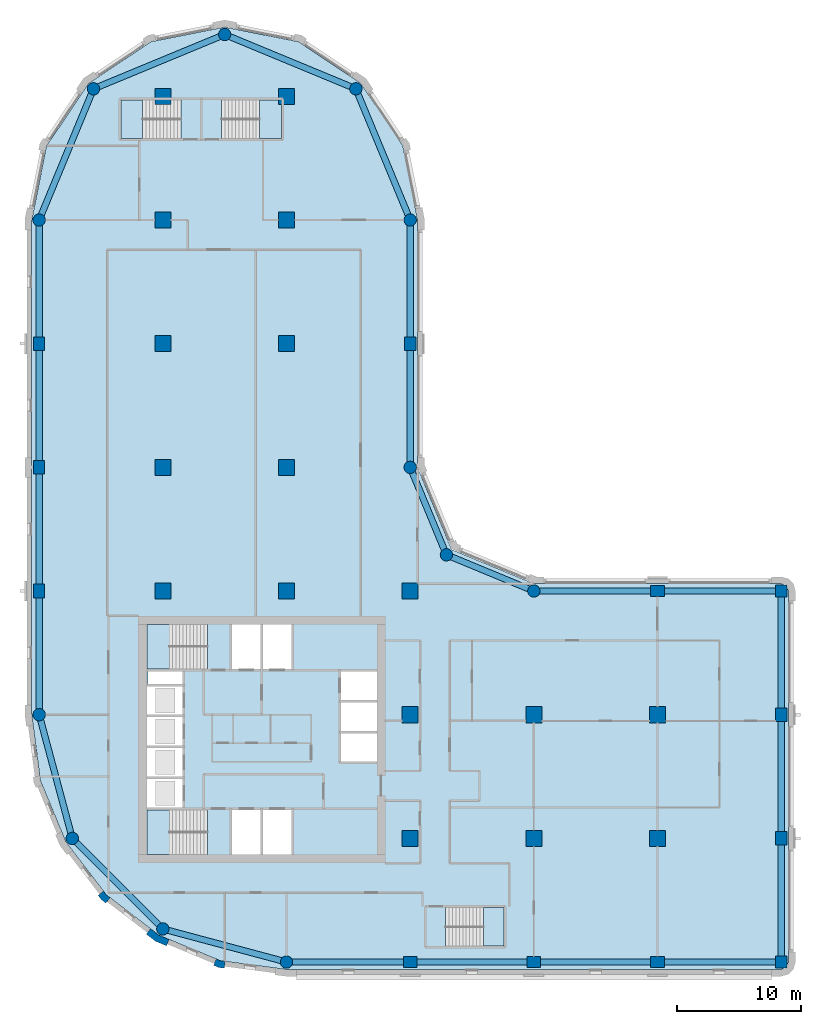
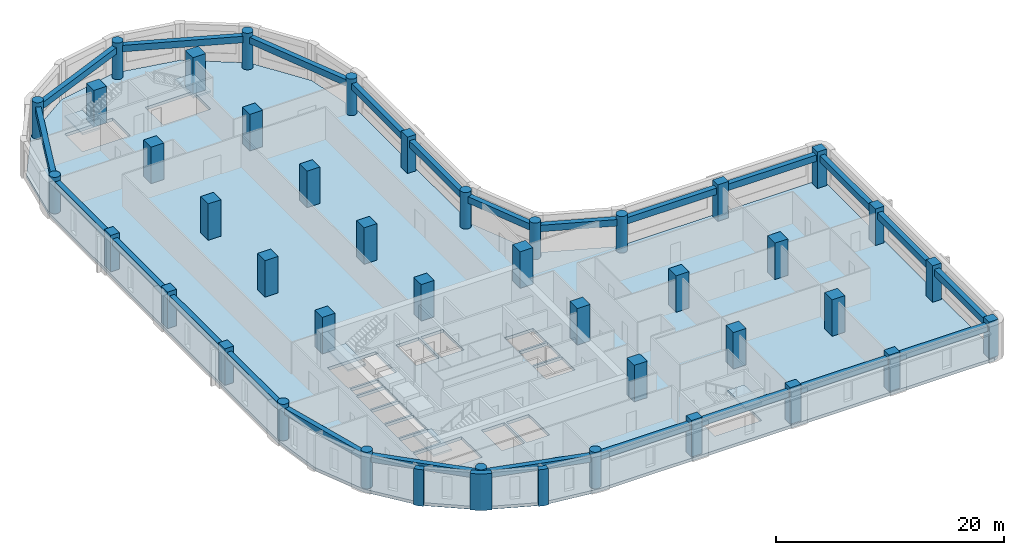
# One storey, part 1 of 9: 41 columns, 24 beams, 6 slabs, 3 walls, 5 elements without a shape of their own.
"""IFC4 building model written with IfcOpenShell, lengths in metres."""

from ifc_helpers import new_model, si_unit, direction, frame, origin, origin_2d, place, context, subcontext, project, spatial, polyline, rectangle, circle, outline, extrude, material, layer, layer_set, material_profile, profile_set, type_object, element, aggregate, save


model = new_model("IFC4")

# Units and contexts
model_context = context("Model", 3, precision=1e-05, world=origin(), true_north=direction((0.0, 1.0)))
body_context = subcontext(model_context, "Body", "Model", "MODEL_VIEW")
ifc_project = project(units=[si_unit("LENGTHUNIT", "METRE"), si_unit("AREAUNIT", "SQUARE_METRE"), si_unit("VOLUMEUNIT", "CUBIC_METRE"), si_unit("PLANEANGLEUNIT", "RADIAN"), si_unit("MASSUNIT", "GRAM", prefix="KILO")], contexts=[model_context])

# Site, building, storey
site_placement = place(None, origin())
site = spatial("IfcSite", under=ifc_project, at=site_placement, CompositionType="ELEMENT")
building_placement = place(site_placement, origin())
building = spatial("IfcBuilding", under=site, at=building_placement, Name="Qaws Garden Tower", CompositionType="ELEMENT")
storey_placement = place(building_placement, frame((0.0, 0.0, 233.10009765625)))
storey = spatial("IfcBuildingStorey", under=building, at=storey_placement, Name="L57", CompositionType="ELEMENT", Elevation=233.10009765625)

# Columns
ifc_material_1 = material(Name="Concrete C70", Category="concrete")
ifc_material_profile_1 = material_profile(ifc_material_1, rectangle(XDim=1.10009765625, YDim=0.89990234375, at=origin_2d()), Name="RC 1100x900")
ifc_profile_set_1 = profile_set([ifc_material_profile_1], Name="Concrete C70")
column_type_1 = type_object("IfcColumnType", Name="Column RC 1100x900 C70", PredefinedType="COLUMN", material=ifc_profile_set_1)
for number, where, z_axis, x_axis, name in (
    (1, (30.0, 0.0, 0.0), (0.0, 0.0, 1.0), (1.0, 0.0, 0.0), "Column L57-002"),
    (2, (40.0, 0.0, 0.0), (0.0, 0.0, 1.0), (1.0, 0.0, 0.0), "Column L57-003"),
    (3, (50.0, 0.0, 0.0), (0.0, 0.0, 1.0), (1.0, 0.0, 0.0), "Column L57-004"),
    (4, (60.0, 10.0, 0.0), (0.0, 0.0, 1.0), (0.0, 1.0, 0.0), "Column L57-006"),
    (5, (60.0, 20.0, 0.0), (0.0, 0.0, 1.0), (0.0, 1.0, 0.0), "Column L57-007"),
    (6, (50.0, 30.0, 0.0), (0.0, 0.0, 1.0), (1.0, 0.0, 0.0), "Column L57-009"),
    (7, (30.0, 50.0, 0.0), (0.0, 0.0, 1.0), (0.0, 1.0, 0.0), "Column L57-013"),
    (8, (0.0, 50.0, 0.0), (0.0, 0.0, 1.0), (0.0, 1.0, 0.0), "Column L57-019"),
    (9, (0.0, 40.0, 0.0), (0.0, 0.0, 1.0), (0.0, 1.0, 0.0), "Column L57-020"),
    (10, (0.0, 30.0, 0.0), (0.0, 0.0, 1.0), (0.0, 1.0, 0.0), "Column L57-021"),
):
    element("IfcColumn", number, at=place(storey_placement, frame(where, z_axis=z_axis, x_axis=x_axis)), inside=storey, type_object=column_type_1, Name=name, PredefinedType="COLUMN", context=body_context, shape_type="SweptSolid", body=[
        extrude(rectangle(XDim=1.10009765625, YDim=0.89990234375, at=origin_2d()), origin(), (0.0, 0.0, 1.0), 3.89990234375),
    ])
ifc_material_2 = material(Name="Concrete C70", Category="concrete")
ifc_material_profile_2 = material_profile(ifc_material_2, rectangle(XDim=1.300048828125, YDim=1.300048828125, at=origin_2d()), Name="RC 1300x1300")
ifc_profile_set_2 = profile_set([ifc_material_profile_2], Name="Concrete C70")
column_type_2 = type_object("IfcColumnType", Name="Column RC 1300x1300 C70", PredefinedType="COLUMN", material=ifc_profile_set_2)
for number, where, z_axis, x_axis, name in (
    (11, (10.0, 30.0, 0.0), (0.0, 0.0, 1.0), (1.0, 0.0, 0.0), "Column L57-025"),
    (12, (10.0, 40.0, 0.0), (0.0, 0.0, 1.0), (1.0, 0.0, 0.0), "Column L57-026"),
    (13, (10.0, 50.0, 0.0), (0.0, 0.0, 1.0), (1.0, 0.0, 0.0), "Column L57-027"),
    (14, (10.0, 60.0, 0.0), (0.0, 0.0, 1.0), (1.0, 0.0, 0.0), "Column L57-028"),
    (15, (10.0, 70.0, 0.0), (0.0, 0.0, 1.0), (1.0, 0.0, 0.0), "Column L57-029"),
    (16, (20.0, 30.0, 0.0), (0.0, 0.0, 1.0), (1.0, 0.0, 0.0), "Column L57-030"),
    (17, (20.0, 40.0, 0.0), (0.0, 0.0, 1.0), (1.0, 0.0, 0.0), "Column L57-031"),
    (18, (20.0, 50.0, 0.0), (0.0, 0.0, 1.0), (1.0, 0.0, 0.0), "Column L57-032"),
    (19, (20.0, 60.0, 0.0), (0.0, 0.0, 1.0), (1.0, 0.0, 0.0), "Column L57-033"),
    (20, (20.0, 70.0, 0.0), (0.0, 0.0, 1.0), (1.0, 0.0, 0.0), "Column L57-034"),
    (21, (30.0, 10.0, 0.0), (0.0, 0.0, 1.0), (1.0, 0.0, 0.0), "Column L57-035"),
    (22, (30.0, 20.0, 0.0), (0.0, 0.0, 1.0), (1.0, 0.0, 0.0), "Column L57-036"),
    (23, (30.0, 30.0, 0.0), (0.0, 0.0, 1.0), (1.0, 0.0, 0.0), "Column L57-037"),
    (24, (40.0, 10.0, 0.0), (0.0, 0.0, 1.0), (1.0, 0.0, 0.0), "Column L57-038"),
    (25, (40.0, 20.0, 0.0), (0.0, 0.0, 1.0), (1.0, 0.0, 0.0), "Column L57-039"),
    (26, (50.0, 10.0, 0.0), (0.0, 0.0, 1.0), (1.0, 0.0, 0.0), "Column L57-040"),
    (27, (50.0, 20.0, 0.0), (0.0, 0.0, 1.0), (1.0, 0.0, 0.0), "Column L57-041"),
):
    element("IfcColumn", number, at=place(storey_placement, frame(where, z_axis=z_axis, x_axis=x_axis)), inside=storey, type_object=column_type_2, Name=name, PredefinedType="COLUMN", context=body_context, shape_type="SweptSolid", body=[
        extrude(rectangle(XDim=1.300048828125, YDim=1.300048828125, at=origin_2d()), origin(), (0.0, 0.0, 1.0), 3.89990234375),
    ])
ifc_material_3 = material(Name="Concrete C70", Category="concrete")
ifc_material_profile_3 = material_profile(ifc_material_3, rectangle(XDim=0.949951171875, YDim=0.949951171875, at=origin_2d()), Name="RC 950x950")
ifc_profile_set_3 = profile_set([ifc_material_profile_3], Name="Concrete C70")
column_type_3 = type_object("IfcColumnType", Name="Column RC 950x950 C70", PredefinedType="COLUMN", material=ifc_profile_set_3)
for number, where, z_axis, x_axis, name in (
    (28, (60.0, 0.0, 0.0), (0.0, 0.0, 1.0), (1.0, 0.0, 0.0), "Column L57-005"),
    (29, (60.0, 30.0, 0.0), (0.0, 0.0, 1.0), (1.0, 0.0, 0.0), "Column L57-008"),
):
    element("IfcColumn", number, at=place(storey_placement, frame(where, z_axis=z_axis, x_axis=x_axis)), inside=storey, type_object=column_type_3, Name=name, PredefinedType="COLUMN", context=body_context, shape_type="SweptSolid", body=[
        extrude(rectangle(XDim=0.949951171875, YDim=0.949951171875, at=origin_2d()), origin(), (0.0, 0.0, 1.0), 3.89990234375),
    ])
ifc_material_4 = material(Name="Concrete C70", Category="concrete")
ifc_material_profile_4 = material_profile(ifc_material_4, circle(Radius=0.5, at=origin_2d()), Name="RC D1000")
ifc_profile_set_4 = profile_set([ifc_material_profile_4], Name="Concrete C70")
column_type_4 = type_object("IfcColumnType", Name="Column RC D1000 C70", PredefinedType="COLUMN", material=ifc_profile_set_4)
for number, where, z_axis, x_axis, name in (
    (30, (20.0, 0.0, 0.0), (0.0, 0.0, 1.0), (1.0, 0.0, 0.0), "Column L57-001"),
    (31, (40.0, 30.0, 0.0), (0.0, 0.0, 1.0), (1.0, 0.0, 0.0), "Column L57-010"),
    (32, (32.928955078125, 32.928955078125, 0.0), (0.0, 0.0, 1.0), (1.0, 0.0, 0.0), "Column L57-011"),
    (33, (30.0, 40.0, 0.0), (0.0, 0.0, 1.0), (1.0, 0.0, 0.0), "Column L57-012"),
    (34, (30.0, 60.0, 0.0), (0.0, 0.0, 1.0), (1.0, 0.0, 0.0), "Column L57-014"),
    (35, (25.606689453125, 70.606689453125, 0.0), (0.0, 0.0, 1.0), (1.0, 0.0, 0.0), "Column L57-015"),
    (36, (15.0, 75.0, 0.0), (0.0, 0.0, 1.0), (1.0, 0.0, 0.0), "Column L57-016"),
    (37, (4.393310546875, 70.606689453125, 0.0), (0.0, 0.0, 1.0), (1.0, 0.0, 0.0), "Column L57-017"),
    (38, (0.0, 60.0, 0.0), (0.0, 0.0, 1.0), (1.0, 0.0, 0.0), "Column L57-018"),
    (39, (0.0, 20.0, 0.0), (0.0, 0.0, 1.0), (1.0, 0.0, 0.0), "Column L57-022"),
    (40, (2.679443359375, 10.0, 0.0), (0.0, 0.0, 1.0), (1.0, 0.0, 0.0), "Column L57-023"),
    (41, (10.0, 2.679443359375, 0.0), (0.0, 0.0, 1.0), (1.0, 0.0, 0.0), "Column L57-024"),
):
    element("IfcColumn", number, at=place(storey_placement, frame(where, z_axis=z_axis, x_axis=x_axis)), inside=storey, type_object=column_type_4, Name=name, PredefinedType="COLUMN", context=body_context, shape_type="SweptSolid", body=[
        extrude(circle(Radius=0.5, at=origin_2d()), origin(), (0.0, 0.0, 1.0), 3.89990234375),
    ])

# Beams
ifc_material_5 = material(Name="Concrete C45", Category="concrete")
ifc_material_profile_5 = material_profile(ifc_material_5, rectangle(XDim=0.5, YDim=0.699951171875, at=origin_2d()), Name="RC 500x700")
ifc_profile_set_5 = profile_set([ifc_material_profile_5], Name="Concrete C45")
beam_type = type_object("IfcBeamType", Name="Spandrel beam RC 500x700 C45", PredefinedType="SPANDREL", material=ifc_profile_set_5)
for number, where, z_axis, x_axis, name in (
    (42, (20.0, 0.0, 3.099853515625), (1.0, 0.0, 0.0), (0.0, 1.0, 0.0), "Spandrel beam L57-001"),
    (43, (30.0, 0.0, 3.099853515625), (1.0, 0.0, 0.0), (0.0, 1.0, 0.0), "Spandrel beam L57-002"),
    (44, (40.0, 0.0, 3.099853515625), (1.0, 0.0, 0.0), (0.0, 1.0, 0.0), "Spandrel beam L57-003"),
    (45, (50.0, 0.0, 3.099853515625), (1.0, 0.0, 0.0), (0.0, 1.0, 0.0), "Spandrel beam L57-004"),
    (46, (60.0, 0.0, 3.099853515625), (0.0, 1.0, 0.0), (-1.0, 0.0, 0.0), "Spandrel beam L57-005"),
    (47, (60.0, 10.0, 3.099853515625), (0.0, 1.0, 0.0), (-1.0, 0.0, 0.0), "Spandrel beam L57-006"),
    (48, (60.0, 20.0, 3.099853515625), (0.0, 1.0, 0.0), (-1.0, 0.0, 0.0), "Spandrel beam L57-007"),
    (49, (60.0, 30.0, 3.099853515625), (-1.0, 0.0, 0.0), (0.0, -1.0, 0.0), "Spandrel beam L57-008"),
    (50, (50.0, 30.0, 3.099853515625), (-1.0, 0.0, 0.0), (0.0, -1.0, 0.0), "Spandrel beam L57-009"),
):
    element("IfcBeam", number, at=place(storey_placement, frame(where, z_axis=z_axis, x_axis=x_axis)), inside=storey, type_object=beam_type, Name=name, PredefinedType="SPANDREL", context=body_context, shape_type="SweptSolid", body=[
        extrude(rectangle(XDim=0.5, YDim=0.699951171875, at=origin_2d()), origin(), (0.0, 0.0, 1.0), 10.0),
    ])
for number, where, z_axis, x_axis, name in (
    (51, (40.0, 30.0, 3.099853515625), (-0.923878037141, 0.382687042488, 0.0), (-0.382687042488, -0.923878037141, 0.0), "Spandrel beam L57-010"),
    (52, (32.928955078125, 32.928955078125, 3.099853515625), (-0.382687042488, 0.923878037141, 0.0), (-0.923878037141, -0.382687042488, 0.0), "Spandrel beam L57-011"),
):
    element("IfcBeam", number, at=place(storey_placement, frame(where, z_axis=z_axis, x_axis=x_axis)), inside=storey, type_object=beam_type, Name=name, PredefinedType="SPANDREL", context=body_context, shape_type="SweptSolid", body=[
        extrude(rectangle(XDim=0.5, YDim=0.699951171875, at=origin_2d()), origin(), (0.0, 0.0, 1.0), 7.653564453125),
    ])
for number, where, z_axis, x_axis, name in (
    (53, (30.0, 40.0, 3.099853515625), (0.0, 1.0, 0.0), (-1.0, 0.0, 0.0), "Spandrel beam L57-012"),
    (54, (30.0, 50.0, 3.099853515625), (0.0, 1.0, 0.0), (-1.0, 0.0, 0.0), "Spandrel beam L57-013"),
):
    element("IfcBeam", number, at=place(storey_placement, frame(where, z_axis=z_axis, x_axis=x_axis)), inside=storey, type_object=beam_type, Name=name, PredefinedType="SPANDREL", context=body_context, shape_type="SweptSolid", body=[
        extrude(rectangle(XDim=0.5, YDim=0.699951171875, at=origin_2d()), origin(), (0.0, 0.0, 1.0), 10.0),
    ])
for number, where, z_axis, x_axis, name in (
    (55, (30.0, 60.0, 3.099853515625), (-0.382674207535, 0.923883353507, 0.0), (-0.923883353507, -0.382674207535, 0.0), "Spandrel beam L57-014"),
    (56, (25.606689453125, 70.606689453125, 3.099853515625), (-0.923883353507, 0.382674207535, 0.0), (-0.382674207535, -0.923883353507, 0.0), "Spandrel beam L57-015"),
    (57, (15.0, 75.0, 3.099853515625), (-0.923883353507, -0.382674207535, 0.0), (0.382674207535, -0.923883353507, 0.0), "Spandrel beam L57-016"),
    (58, (4.393310546875, 70.606689453125, 3.099853515625), (-0.382674207535, -0.923883353507, 0.0), (0.923883353507, -0.382674207535, 0.0), "Spandrel beam L57-017"),
):
    element("IfcBeam", number, at=place(storey_placement, frame(where, z_axis=z_axis, x_axis=x_axis)), inside=storey, type_object=beam_type, Name=name, PredefinedType="SPANDREL", context=body_context, shape_type="SweptSolid", body=[
        extrude(rectangle(XDim=0.5, YDim=0.699951171875, at=origin_2d()), origin(), (0.0, 0.0, 1.0), 11.48046875),
    ])
for number, where, z_axis, x_axis, name in (
    (59, (0.0, 60.0, 3.099853515625), (0.0, -1.0, 0.0), (1.0, 0.0, 0.0), "Spandrel beam L57-018"),
    (60, (0.0, 50.0, 3.099853515625), (0.0, -1.0, 0.0), (1.0, 0.0, 0.0), "Spandrel beam L57-019"),
    (61, (0.0, 40.0, 3.099853515625), (0.0, -1.0, 0.0), (1.0, 0.0, 0.0), "Spandrel beam L57-020"),
    (62, (0.0, 30.0, 3.099853515625), (0.0, -1.0, 0.0), (1.0, 0.0, 0.0), "Spandrel beam L57-021"),
):
    element("IfcBeam", number, at=place(storey_placement, frame(where, z_axis=z_axis, x_axis=x_axis)), inside=storey, type_object=beam_type, Name=name, PredefinedType="SPANDREL", context=body_context, shape_type="SweptSolid", body=[
        extrude(rectangle(XDim=0.5, YDim=0.699951171875, at=origin_2d()), origin(), (0.0, 0.0, 1.0), 10.0),
    ])
for number, where, z_axis, x_axis, name in (
    (63, (0.0, 20.0, 3.099853515625), (0.25881466832, -0.965926999034, 0.0), (0.965926999034, 0.25881466832, 0.0), "Spandrel beam L57-022"),
    (64, (2.679443359375, 10.0, 3.099853515625), (0.707106781187, -0.707106781187, 0.0), (0.707106781187, 0.707106781187, 0.0), "Spandrel beam L57-023"),
    (65, (10.0, 2.679443359375, 3.099853515625), (0.965926999034, -0.25881466832, 0.0), (0.25881466832, 0.965926999034, 0.0), "Spandrel beam L57-024"),
):
    element("IfcBeam", number, at=place(storey_placement, frame(where, z_axis=z_axis, x_axis=x_axis)), inside=storey, type_object=beam_type, Name=name, PredefinedType="SPANDREL", context=body_context, shape_type="SweptSolid", body=[
        extrude(rectangle(XDim=0.5, YDim=0.699951171875, at=origin_2d()), origin(), (0.0, 0.0, 1.0), 10.352783203125),
    ])

# Slab
ifc_material_6 = material(Name="Concrete C40", Category="concrete")
ifc_layer_1 = layer(ifc_material_6, 0.320068359375)
ifc_layer_set_1 = layer_set([ifc_layer_1], Name="Concrete C40")
slab_type_1 = type_object("IfcSlabType", Name="Floor slab 320 C40", PredefinedType="FLOOR", material=ifc_layer_set_1)
slab_1_placement = place(storey_placement, frame((0.0, 0.0, -0.320068359375)))
element("IfcSlab", 66, at=slab_1_placement, inside=storey, type_object=slab_type_1, Name="Floor slab L57", PredefinedType="FLOOR", context=body_context, shape_type="SweptSolid", body=[
    extrude(outline(polyline([(0.101806640625, 14.668212890625), (-0.60009765625, 20.0), (-0.60009765625, 30.60009765625), (-0.60009765625, 60.0), (-0.60009765625, 60.0), (0.58740234375, 65.969970703125), (3.968994140625, 71.031005859375), (9.030029296875, 74.41259765625), (15.0, 75.60009765625), (20.969970703125, 74.41259765625), (26.031005859375, 71.031005859375), (29.41259765625, 65.969970703125), (30.60009765625, 60.0), (30.60009765625, 40.0), (33.353271484375, 33.353271484375), (40.0, 30.60009765625), (60.0, 30.60009765625), (60.42431640625, 30.42431640625), (60.60009765625, 30.0), (60.60009765625, 0.0), (60.42431640625, -0.42431640625), (60.0, -0.60009765625), (30.60009765625, -0.60009765625), (20.0, -0.60009765625), (14.668212890625, 0.101806640625), (9.699951171875, 2.159912109375), (5.43359375, 5.43359375), (2.159912109375, 9.699951171875), (0.101806640625, 14.668212890625)]), holes=[polyline([(13.599609375, 12.300048828125), (8.699951171875, 12.300048828125), (8.699951171875, 8.699951171875), (13.599609375, 8.699951171875), (13.599609375, 12.300048828125)]), polyline([(17.89990234375, 12.300048828125), (15.60009765625, 12.300048828125), (15.60009765625, 8.699951171875), (17.89990234375, 8.699951171875), (17.89990234375, 12.300048828125)]), polyline([(11.60009765625, 14.800048828125), (8.699951171875, 14.800048828125), (8.699951171875, 12.5), (11.60009765625, 12.5), (11.60009765625, 14.800048828125)]), polyline([(11.60009765625, 17.300048828125), (8.699951171875, 17.300048828125), (8.699951171875, 15.0), (11.60009765625, 15.0), (11.60009765625, 17.300048828125)]), polyline([(11.60009765625, 19.800048828125), (8.699951171875, 19.800048828125), (8.699951171875, 17.5), (11.60009765625, 17.5), (11.60009765625, 19.800048828125)]), polyline([(11.60009765625, 22.300048828125), (8.699951171875, 22.300048828125), (8.699951171875, 20.0), (11.60009765625, 20.0), (11.60009765625, 22.300048828125)]), polyline([(11.60009765625, 23.5), (8.800048828125, 23.5), (8.800048828125, 22.5), (11.60009765625, 22.5), (11.60009765625, 23.5)]), polyline([(13.599609375, 27.300048828125), (8.699951171875, 27.300048828125), (8.699951171875, 23.699951171875), (13.599609375, 23.699951171875), (13.599609375, 27.300048828125)]), polyline([(11.449462890625, 69.699951171875), (6.60009765625, 69.699951171875), (6.60009765625, 66.60009765625), (11.449462890625, 66.60009765625), (11.449462890625, 69.699951171875)]), polyline([(37.60009765625, 4.39990234375), (32.8505859375, 4.39990234375), (32.8505859375, 1.300048828125), (37.60009765625, 1.300048828125), (37.60009765625, 4.39990234375)]), polyline([(20.39990234375, 12.300048828125), (18.10009765625, 12.300048828125), (18.10009765625, 8.699951171875), (20.39990234375, 8.699951171875), (20.39990234375, 12.300048828125)]), polyline([(27.300048828125, 18.5), (24.39990234375, 18.5), (24.39990234375, 16.199951171875), (27.300048828125, 16.199951171875), (27.300048828125, 18.5)]), polyline([(27.300048828125, 21.0), (24.39990234375, 21.0), (24.39990234375, 18.699951171875), (27.300048828125, 18.699951171875), (27.300048828125, 21.0)]), polyline([(27.300048828125, 23.5), (24.39990234375, 23.5), (24.39990234375, 21.199951171875), (27.300048828125, 21.199951171875), (27.300048828125, 23.5)]), polyline([(17.89990234375, 27.300048828125), (15.60009765625, 27.300048828125), (15.60009765625, 23.699951171875), (17.89990234375, 23.699951171875), (17.89990234375, 27.300048828125)]), polyline([(20.39990234375, 23.699951171875), (20.39990234375, 27.300048828125), (18.10009765625, 27.300048828125), (18.10009765625, 23.699951171875), (20.39990234375, 23.699951171875)]), polyline([(19.60009765625, 66.60009765625), (19.60009765625, 69.699951171875), (14.75048828125, 69.699951171875), (14.75048828125, 66.60009765625), (19.60009765625, 66.60009765625)])]), origin(), (0.0, 0.0, 1.0), 0.320068359375),
])

# Stair, slab
ifc_material_7 = material(Name="Concrete C40", Category="concrete")
stair_type_1 = type_object("IfcStairType", Name="Exit stair 1500", PredefinedType="HALF_TURN_STAIR", material=ifc_material_7)
placement_1 = place(storey_placement, origin())
stair_1 = element("IfcStair", 67, at=placement_1, inside=storey, type_object=stair_type_1, Name="Stair 1", PredefinedType="HALF_TURN_STAIR")
ifc_material_8 = material(Name="Concrete C40", Category="concrete")
ifc_layer_2 = layer(ifc_material_8, 0.199951171875)
ifc_layer_set_2 = layer_set([ifc_layer_2], Name="Concrete C40")
slab_type_2 = type_object("IfcSlabType", Name="Stair landing 200", PredefinedType="LANDING", material=ifc_layer_set_2)
placement_2 = place(storey_placement, frame((0.0, 0.0, 1.75)))
slab_2 = element("IfcSlab", 68, at=placement_2, type_object=slab_type_2, Name="ST1 landing 1", PredefinedType="LANDING", context=body_context, shape_type="SweptSolid", body=[
    extrude(outline(polyline([(8.699951171875, 8.699951171875), (10.52001953125, 8.699951171875), (10.52001953125, 12.300048828125), (8.699951171875, 12.300048828125), (8.699951171875, 8.699951171875)])), origin(), (0.0, 0.0, 1.0), 0.199951171875),
])
aggregate(stair_1, [slab_2])

stair_2 = element("IfcStair", 69, at=placement_1, inside=storey, type_object=stair_type_1, Name="Stair 4", PredefinedType="HALF_TURN_STAIR")
slab_3 = element("IfcSlab", 70, at=placement_2, type_object=slab_type_2, Name="ST4 landing 1", PredefinedType="LANDING", context=body_context, shape_type="SweptSolid", body=[
    extrude(outline(polyline([(8.699951171875, 23.699951171875), (10.52001953125, 23.699951171875), (10.52001953125, 27.300048828125), (8.699951171875, 27.300048828125), (8.699951171875, 23.699951171875)])), origin(), (0.0, 0.0, 1.0), 0.199951171875),
])
aggregate(stair_2, [slab_3])

ifc_material_9 = material(Name="Concrete C40", Category="concrete")
stair_type_2 = type_object("IfcStairType", Name="Exit stair 1350", PredefinedType="HALF_TURN_STAIR", material=ifc_material_9)
stair_3 = element("IfcStair", 71, at=placement_1, inside=storey, type_object=stair_type_2, Name="Stair 5", PredefinedType="HALF_TURN_STAIR")
slab_4 = element("IfcSlab", 72, at=placement_2, type_object=slab_type_2, Name="ST5 landing 1", PredefinedType="LANDING", context=body_context, shape_type="SweptSolid", body=[
    extrude(outline(polyline([(35.929931640625, 1.300048828125), (37.60009765625, 1.300048828125), (37.60009765625, 4.39990234375), (35.929931640625, 4.39990234375), (35.929931640625, 1.300048828125)])), origin(), (0.0, 0.0, 1.0), 0.199951171875),
])
aggregate(stair_3, [slab_4])

stair_4 = element("IfcStair", 73, at=placement_1, inside=storey, type_object=stair_type_2, Name="Stair 6", PredefinedType="HALF_TURN_STAIR")
slab_5 = element("IfcSlab", 74, at=placement_2, type_object=slab_type_2, Name="ST6 landing 1", PredefinedType="LANDING", context=body_context, shape_type="SweptSolid", body=[
    extrude(outline(polyline([(6.60009765625, 66.60009765625), (8.3701171875, 66.60009765625), (8.3701171875, 69.699951171875), (6.60009765625, 69.699951171875), (6.60009765625, 66.60009765625)])), origin(), (0.0, 0.0, 1.0), 0.199951171875),
])
aggregate(stair_4, [slab_5])

stair_5 = element("IfcStair", 75, at=placement_1, inside=storey, type_object=stair_type_2, Name="Stair 7", PredefinedType="HALF_TURN_STAIR")
slab_6 = element("IfcSlab", 76, at=placement_2, type_object=slab_type_2, Name="ST7 landing 1", PredefinedType="LANDING", context=body_context, shape_type="SweptSolid", body=[
    extrude(outline(polyline([(17.830078125, 66.60009765625), (19.60009765625, 66.60009765625), (19.60009765625, 69.699951171875), (17.830078125, 69.699951171875), (17.830078125, 66.60009765625)])), origin(), (0.0, 0.0, 1.0), 0.199951171875),
])
aggregate(stair_5, [slab_6])

# Walls
ifc_material_10 = material(Name="Buff clay facing brick masonry", Category="masonry")
ifc_layer_3 = layer(ifc_material_10, 0.550048828125)
ifc_layer_set_3 = layer_set([ifc_layer_3], Name="Buff clay facing brick masonry")
wall_type_1 = type_object("IfcWallType", Name="Buff brick kink pier 550 x 600", PredefinedType="SOLIDWALL", material=ifc_layer_set_3)
element("IfcWall", 77, at=placement_1, inside=storey, type_object=wall_type_1, Name="E-L57-pier-28", PredefinedType="SOLIDWALL", context=body_context, shape_type="SweptSolid", body=[
    extrude(outline(polyline([(4.8818359375, 5.487060546875), (4.762939453125, 5.395751953125), (5.03759765625, 5.03759765625), (5.395751953125, 4.762939453125), (5.487060546875, 4.8818359375), (5.730712890625, 5.19921875), (5.429931640625, 5.429931640625), (5.19921875, 5.730712890625), (4.8818359375, 5.487060546875)])), origin(), (0.0, 0.0, 1.0), 3.89990234375),
])
element("IfcWall", 78, at=placement_1, inside=storey, type_object=wall_type_1, Name="E-L57-pier-30", PredefinedType="SOLIDWALL", context=body_context, shape_type="SweptSolid", body=[
    extrude(outline(polyline([(14.163818359375, -0.127685546875), (14.1064453125, -0.26611328125), (14.5234375, -0.43896484375), (14.970947265625, -0.497802734375), (14.990478515625, -0.34912109375), (15.042724609375, 0.04736328125), (14.6669921875, 0.096923828125), (14.31689453125, 0.241943359375), (14.163818359375, -0.127685546875)])), origin(), (0.0, 0.0, 1.0), 3.89990234375),
])
ifc_material_11 = material(Name="Buff clay facing brick masonry", Category="masonry")
ifc_layer_4 = layer(ifc_material_11, 0.550048828125)
ifc_layer_set_4 = layer_set([ifc_layer_4], Name="Buff clay facing brick masonry")
wall_type_2 = type_object("IfcWallType", Name="Buff brick pier 550 x 1600", PredefinedType="SOLIDWALL", material=ifc_layer_set_4)
element("IfcWall", 79, at=placement_1, inside=storey, type_object=wall_type_2, Name="E-L57-pier-29", PredefinedType="SOLIDWALL", context=body_context, shape_type="SweptSolid", body=[
    extrude(outline(polyline([(8.756591796875, 2.373046875), (8.665283203125, 2.254150390625), (9.419921875, 1.675048828125), (10.299072265625, 1.310791015625), (10.3564453125, 1.449462890625), (10.509521484375, 1.819091796875), (9.697509765625, 2.1552734375), (9.0, 2.6904296875), (8.756591796875, 2.373046875)])), origin(), (0.0, 0.0, 1.0), 3.89990234375),
])

save(model, "model.ifc")
